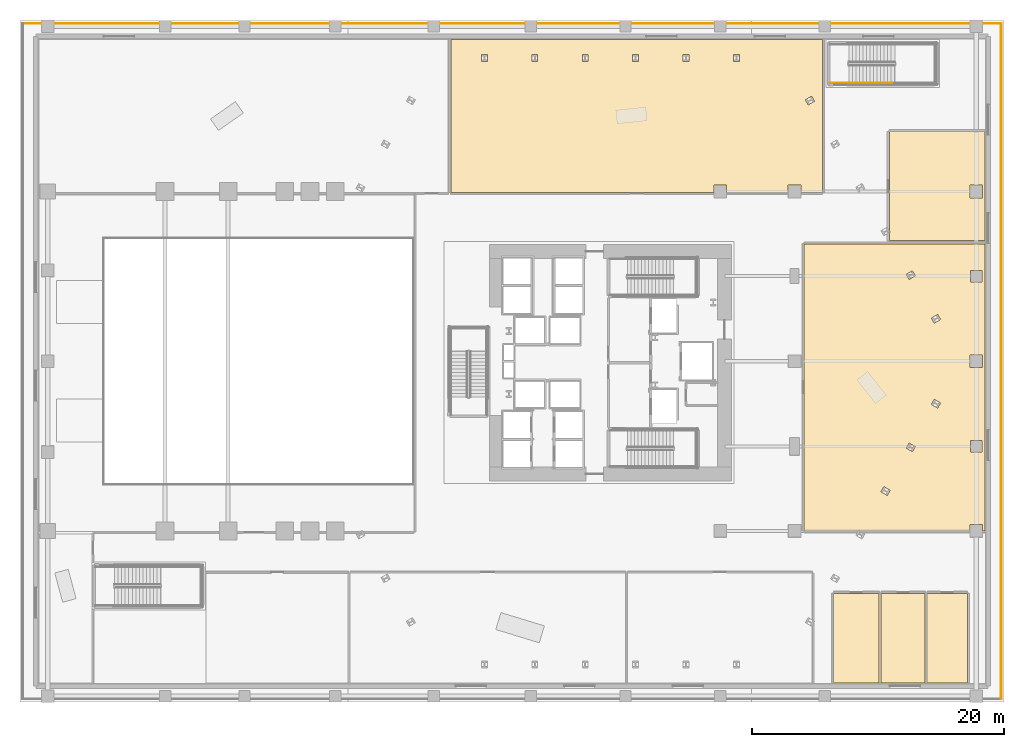
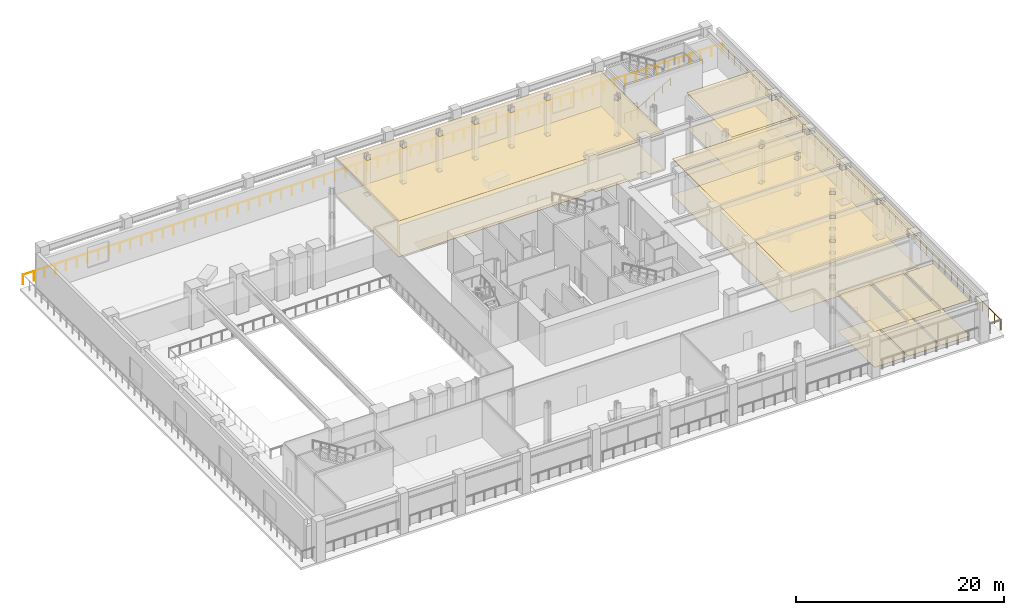
# One storey, part 17 of 19: 12 coverings, 4 railings.
"""IFC4 building model written with IfcOpenShell, lengths in metres."""

from ifc_helpers import new_model, si_unit, direction, frame, origin, origin_2d, place, context, subcontext, project, spatial, polyline, circle, outline, extrude, material, layer, layer_set, type_object, element, save


model = new_model("IFC4")

# Units and contexts
model_context = context("Model", 3, precision=1e-05, world=origin(), true_north=direction((0.0, 1.0)))
body_context = subcontext(model_context, "Body", "Model", "MODEL_VIEW")
ifc_project = project(units=[si_unit("LENGTHUNIT", "METRE"), si_unit("AREAUNIT", "SQUARE_METRE"), si_unit("VOLUMEUNIT", "CUBIC_METRE"), si_unit("PLANEANGLEUNIT", "RADIAN"), si_unit("MASSUNIT", "GRAM", prefix="KILO")], contexts=[model_context])

# Site, building, storey
site_placement = place(None, origin())
site = spatial("IfcSite", under=ifc_project, at=site_placement, CompositionType="ELEMENT")
building_placement = place(site_placement, origin())
building = spatial("IfcBuilding", under=site, at=building_placement, Name="Valkerne Bourse Tower", CompositionType="ELEMENT")
storey_placement = place(building_placement, frame((0.0, 0.0, 5.39990234375)))
storey = spatial("IfcBuildingStorey", under=building, at=storey_placement, Name="L01", CompositionType="ELEMENT", Elevation=5.39990234375)

# Coverings
ifc_material_1 = material(Name="Mineral Fiber Acoustic Ceiling Tile", Category="acoustic")
ifc_layer_1 = layer(ifc_material_1, 0.02490234375)
ifc_layer_set_1 = layer_set([ifc_layer_1], Name="Mineral Fiber Acoustic Ceiling Tile")
covering_type_1 = type_object("IfcCoveringType", Name="COV-CEIL-ACT", PredefinedType="CEILING", material=ifc_layer_set_1)
covering_1_placement = place(storey_placement, frame((0.0, 0.0, 4.210205078125)))
element("IfcCovering", 1, at=covering_1_placement, inside=storey, type_object=covering_type_1, Name="L01 Suspended Ceiling 06", PredefinedType="CEILING", context=body_context, shape_type="SweptSolid", body=[
    extrude(outline(polyline([(64.50390625, 8.595947265625), (68.095947265625, 8.595947265625), (68.095947265625, 1.50390625), (64.50390625, 1.50390625), (64.50390625, 8.595947265625)])), origin(), (0.0, 0.0, 1.0), 0.02490234375),
])
covering_2_placement = place(storey_placement, frame((0.0, 0.0, 4.210205078125)))
element("IfcCovering", 2, at=covering_2_placement, inside=storey, type_object=covering_type_1, Name="L01 Suspended Ceiling 07", PredefinedType="CEILING", context=body_context, shape_type="SweptSolid", body=[
    extrude(outline(polyline([(68.263916015625, 8.595947265625), (71.74609375, 8.595947265625), (71.74609375, 1.50390625), (68.263916015625, 1.50390625), (68.263916015625, 8.595947265625)])), origin(), (0.0, 0.0, 1.0), 0.02490234375),
])
covering_3_placement = place(storey_placement, frame((0.0, 0.0, 4.210205078125)))
element("IfcCovering", 3, at=covering_3_placement, inside=storey, type_object=covering_type_1, Name="L01 Suspended Ceiling 08", PredefinedType="CEILING", context=body_context, shape_type="SweptSolid", body=[
    extrude(outline(polyline([(71.9140625, 8.595947265625), (75.095947265625, 8.595947265625), (75.095947265625, 1.50390625), (71.9140625, 1.50390625), (71.9140625, 8.595947265625)])), origin(), (0.0, 0.0, 1.0), 0.02490234375),
])
covering_4_placement = place(storey_placement, frame((0.0, 0.0, 4.210205078125)))
element("IfcCovering", 4, at=covering_4_placement, inside=storey, type_object=covering_type_1, Name="L01 Suspended Ceiling 09", PredefinedType="CEILING", context=body_context, shape_type="SweptSolid", body=[
    extrude(outline(polyline([(62.154052734375, 36.2958984375), (76.49609375, 36.2958984375), (76.49609375, 13.553955078125), (76.303955078125, 13.553955078125), (76.303955078125, 14.053955078125), (75.2958984375, 14.053955078125), (75.2958984375, 13.553955078125), (66.555908203125, 13.553955078125), (66.479248046875, 13.59814453125), (66.453857421875, 13.553955078125), (62.154052734375, 13.553955078125), (62.154052734375, 36.2958984375)]), holes=[polyline([(68.24609375, 16.658203125), (68.74560546875, 16.36962890625), (68.97705078125, 16.770263671875), (68.477294921875, 17.058837890625), (68.24609375, 16.658203125)]), polyline([(70.475341796875, 20.51953125), (70.243896484375, 20.118896484375), (70.74365234375, 19.830322265625), (70.97509765625, 20.23095703125), (70.475341796875, 20.51953125)]), polyline([(76.25390625, 20.7041015625), (75.345947265625, 20.7041015625), (75.345947265625, 19.7958984375), (76.25390625, 19.7958984375), (76.25390625, 20.7041015625)]), polyline([(72.473388671875, 23.97998046875), (72.241943359375, 23.579345703125), (72.74169921875, 23.291015625), (72.972900390625, 23.691650390625), (72.473388671875, 23.97998046875)]), polyline([(76.303955078125, 27.50390625), (75.2958984375, 27.50390625), (75.2958984375, 26.49609375), (76.303955078125, 26.49609375), (76.303955078125, 27.50390625)]), polyline([(72.74169921875, 30.708984375), (72.241943359375, 30.420654296875), (72.473388671875, 30.02001953125), (72.972900390625, 30.308349609375), (72.74169921875, 30.708984375)]), polyline([(76.25390625, 34.2041015625), (75.345947265625, 34.2041015625), (75.345947265625, 33.2958984375), (76.25390625, 33.2958984375), (76.25390625, 34.2041015625)]), polyline([(70.243896484375, 33.881103515625), (70.475341796875, 33.48046875), (70.97509765625, 33.76904296875), (70.74365234375, 34.169677734375), (70.243896484375, 33.881103515625)])]), origin(), (0.0, 0.0, 1.0), 0.02490234375),
])
covering_5_placement = place(storey_placement, frame((0.0, 0.0, 4.210205078125)))
element("IfcCovering", 5, at=covering_5_placement, inside=storey, type_object=covering_type_1, Name="L01 Suspended Ceiling 10", PredefinedType="CEILING", context=body_context, shape_type="SweptSolid", body=[
    extrude(outline(polyline([(68.904052734375, 37.1875), (68.97705078125, 37.229736328125), (68.904052734375, 37.356201171875), (68.904052734375, 45.196044921875), (76.49609375, 45.196044921875), (76.49609375, 36.553955078125), (68.904052734375, 36.553955078125), (68.904052734375, 37.1875)]), holes=[polyline([(76.303955078125, 40.9541015625), (75.2958984375, 40.9541015625), (75.2958984375, 39.946044921875), (76.303955078125, 39.946044921875), (76.303955078125, 40.9541015625)])]), origin(), (0.0, 0.0, 1.0), 0.02490234375),
])
covering_6_placement = place(storey_placement, frame((0.0, 0.0, 4.210205078125)))
element("IfcCovering", 6, at=covering_6_placement, inside=storey, type_object=covering_type_1, Name="L01 Suspended Ceiling 11", PredefinedType="CEILING", context=body_context, shape_type="SweptSolid", body=[
    extrude(outline(polyline([(34.154052734375, 52.49609375), (63.595947265625, 52.49609375), (63.595947265625, 40.384033203125), (61.904052734375, 40.384033203125), (61.904052734375, 40.9541015625), (60.89599609375, 40.9541015625), (60.89599609375, 40.384033203125), (56.00390625, 40.384033203125), (56.00390625, 40.9541015625), (54.99609375, 40.9541015625), (54.99609375, 40.384033203125), (34.154052734375, 40.384033203125), (34.154052734375, 52.49609375)]), holes=[polyline([(57.021240234375, 51.32080078125), (56.55859375, 51.32080078125), (56.55859375, 50.74365234375), (57.021240234375, 50.74365234375), (57.021240234375, 51.32080078125)]), polyline([(53.025390625, 51.32080078125), (52.5625, 51.32080078125), (52.5625, 50.74365234375), (53.025390625, 50.74365234375), (53.025390625, 51.32080078125)]), polyline([(48.566650390625, 51.32080078125), (48.566650390625, 50.74365234375), (49.029296875, 50.74365234375), (49.029296875, 51.32080078125), (48.566650390625, 51.32080078125)]), polyline([(45.033203125, 51.32080078125), (44.57080078125, 51.32080078125), (44.57080078125, 50.74365234375), (45.033203125, 50.74365234375), (45.033203125, 51.32080078125)]), polyline([(41.037353515625, 51.32080078125), (40.57470703125, 51.32080078125), (40.57470703125, 50.74365234375), (41.037353515625, 50.74365234375), (41.037353515625, 51.32080078125)]), polyline([(36.57861328125, 51.32080078125), (36.57861328125, 50.74365234375), (37.04150390625, 50.74365234375), (37.04150390625, 51.32080078125), (36.57861328125, 51.32080078125)]), polyline([(62.751708984375, 48.01220703125), (62.251953125, 47.723876953125), (62.4833984375, 47.322998046875), (62.98291015625, 47.611572265625), (62.751708984375, 48.01220703125)])]), origin(), (0.0, 0.0, 1.0), 0.02490234375),
])
ifc_material_2 = material(Name="Galvanised Painted Steel", Category="steel")
ifc_layer_2 = layer(ifc_material_2, 0.044921875)
ifc_layer_set_2 = layer_set([ifc_layer_2], Name="Galvanised Painted Steel")
covering_type_2 = type_object("IfcCoveringType", Name="COV-FLR-RAF", PredefinedType="FLOORING", material=ifc_layer_set_2)
covering_7_placement = place(storey_placement, origin())
element("IfcCovering", 7, at=covering_7_placement, inside=storey, type_object=covering_type_2, Name="L01 Floor Finish 09", PredefinedType="FLOORING", context=body_context, shape_type="SweptSolid", body=[
    extrude(outline(polyline([(62.154052734375, 36.2958984375), (76.49609375, 36.2958984375), (76.49609375, 13.553955078125), (76.303955078125, 13.553955078125), (76.303955078125, 14.053955078125), (75.2958984375, 14.053955078125), (75.2958984375, 13.553955078125), (66.555908203125, 13.553955078125), (66.479248046875, 13.59814453125), (66.453857421875, 13.553955078125), (62.154052734375, 13.553955078125), (62.154052734375, 36.2958984375)]), holes=[polyline([(68.24609375, 16.658203125), (68.74560546875, 16.36962890625), (68.97705078125, 16.770263671875), (68.477294921875, 17.058837890625), (68.24609375, 16.658203125)]), polyline([(70.475341796875, 20.51953125), (70.243896484375, 20.118896484375), (70.74365234375, 19.830322265625), (70.97509765625, 20.23095703125), (70.475341796875, 20.51953125)]), polyline([(76.25390625, 20.7041015625), (75.345947265625, 20.7041015625), (75.345947265625, 19.7958984375), (76.25390625, 19.7958984375), (76.25390625, 20.7041015625)]), polyline([(72.473388671875, 23.97998046875), (72.241943359375, 23.579345703125), (72.74169921875, 23.291015625), (72.972900390625, 23.691650390625), (72.473388671875, 23.97998046875)]), polyline([(76.303955078125, 27.50390625), (75.2958984375, 27.50390625), (75.2958984375, 26.49609375), (76.303955078125, 26.49609375), (76.303955078125, 27.50390625)]), polyline([(72.74169921875, 30.708984375), (72.241943359375, 30.420654296875), (72.473388671875, 30.02001953125), (72.972900390625, 30.308349609375), (72.74169921875, 30.708984375)]), polyline([(76.25390625, 34.2041015625), (75.345947265625, 34.2041015625), (75.345947265625, 33.2958984375), (76.25390625, 33.2958984375), (76.25390625, 34.2041015625)]), polyline([(70.243896484375, 33.881103515625), (70.475341796875, 33.48046875), (70.97509765625, 33.76904296875), (70.74365234375, 34.169677734375), (70.243896484375, 33.881103515625)])]), origin(), (0.0, 0.0, 1.0), 0.045166015625),
])
covering_8_placement = place(storey_placement, origin())
element("IfcCovering", 8, at=covering_8_placement, inside=storey, type_object=covering_type_2, Name="L01 Floor Finish 10", PredefinedType="FLOORING", context=body_context, shape_type="SweptSolid", body=[
    extrude(outline(polyline([(68.904052734375, 37.1875), (68.97705078125, 37.229736328125), (68.904052734375, 37.356201171875), (68.904052734375, 45.196044921875), (76.49609375, 45.196044921875), (76.49609375, 36.553955078125), (68.904052734375, 36.553955078125), (68.904052734375, 37.1875)]), holes=[polyline([(76.303955078125, 40.9541015625), (75.2958984375, 40.9541015625), (75.2958984375, 39.946044921875), (76.303955078125, 39.946044921875), (76.303955078125, 40.9541015625)])]), origin(), (0.0, 0.0, 1.0), 0.045166015625),
])
covering_9_placement = place(storey_placement, origin())
element("IfcCovering", 9, at=covering_9_placement, inside=storey, type_object=covering_type_2, Name="L01 Floor Finish 11", PredefinedType="FLOORING", context=body_context, shape_type="SweptSolid", body=[
    extrude(outline(polyline([(34.154052734375, 52.49609375), (63.595947265625, 52.49609375), (63.595947265625, 40.384033203125), (61.904052734375, 40.384033203125), (61.904052734375, 40.9541015625), (60.89599609375, 40.9541015625), (60.89599609375, 40.384033203125), (56.00390625, 40.384033203125), (56.00390625, 40.9541015625), (54.99609375, 40.9541015625), (54.99609375, 40.384033203125), (34.154052734375, 40.384033203125), (34.154052734375, 52.49609375)]), holes=[polyline([(57.021240234375, 51.32080078125), (56.55859375, 51.32080078125), (56.55859375, 50.74365234375), (57.021240234375, 50.74365234375), (57.021240234375, 51.32080078125)]), polyline([(53.025390625, 51.32080078125), (52.5625, 51.32080078125), (52.5625, 50.74365234375), (53.025390625, 50.74365234375), (53.025390625, 51.32080078125)]), polyline([(48.566650390625, 51.32080078125), (48.566650390625, 50.74365234375), (49.029296875, 50.74365234375), (49.029296875, 51.32080078125), (48.566650390625, 51.32080078125)]), polyline([(45.033203125, 51.32080078125), (44.57080078125, 51.32080078125), (44.57080078125, 50.74365234375), (45.033203125, 50.74365234375), (45.033203125, 51.32080078125)]), polyline([(41.037353515625, 51.32080078125), (40.57470703125, 51.32080078125), (40.57470703125, 50.74365234375), (41.037353515625, 50.74365234375), (41.037353515625, 51.32080078125)]), polyline([(36.57861328125, 51.32080078125), (36.57861328125, 50.74365234375), (37.04150390625, 50.74365234375), (37.04150390625, 51.32080078125), (36.57861328125, 51.32080078125)]), polyline([(62.751708984375, 48.01220703125), (62.251953125, 47.723876953125), (62.4833984375, 47.322998046875), (62.98291015625, 47.611572265625), (62.751708984375, 48.01220703125)])]), origin(), (0.0, 0.0, 1.0), 0.045166015625),
])
ifc_material_3 = material(Name="Polished Granite Stone", Category="masonry")
ifc_layer_3 = layer(ifc_material_3, 0.030029296875)
ifc_layer_set_3 = layer_set([ifc_layer_3], Name="Polished Granite Stone")
covering_type_3 = type_object("IfcCoveringType", Name="COV-FLR-TERRAZZO", PredefinedType="FLOORING", material=ifc_layer_set_3)
covering_10_placement = place(storey_placement, origin())
element("IfcCovering", 10, at=covering_10_placement, inside=storey, type_object=covering_type_3, Name="L01 Floor Finish 06", PredefinedType="FLOORING", context=body_context, shape_type="SweptSolid", body=[
    extrude(outline(polyline([(64.50390625, 8.595947265625), (68.095947265625, 8.595947265625), (68.095947265625, 1.50390625), (64.50390625, 1.50390625), (64.50390625, 8.595947265625)])), origin(), (0.0, 0.0, 1.0), 0.030029296875),
])
covering_11_placement = place(storey_placement, origin())
element("IfcCovering", 11, at=covering_11_placement, inside=storey, type_object=covering_type_3, Name="L01 Floor Finish 07", PredefinedType="FLOORING", context=body_context, shape_type="SweptSolid", body=[
    extrude(outline(polyline([(68.263916015625, 8.595947265625), (71.74609375, 8.595947265625), (71.74609375, 1.50390625), (68.263916015625, 1.50390625), (68.263916015625, 8.595947265625)])), origin(), (0.0, 0.0, 1.0), 0.030029296875),
])
covering_12_placement = place(storey_placement, origin())
element("IfcCovering", 12, at=covering_12_placement, inside=storey, type_object=covering_type_3, Name="L01 Floor Finish 08", PredefinedType="FLOORING", context=body_context, shape_type="SweptSolid", body=[
    extrude(outline(polyline([(71.9140625, 8.595947265625), (75.095947265625, 8.595947265625), (75.095947265625, 1.50390625), (71.9140625, 1.50390625), (71.9140625, 8.595947265625)])), origin(), (0.0, 0.0, 1.0), 0.030029296875),
])

# Railings
ifc_material_4 = material(Name="Laminated Tempered Safety Glass", Category="glass")
railing_type_1 = type_object("IfcRailingType", Name="RLG-GUARD-1150", PredefinedType="BALUSTRADE", material=ifc_material_4)
railing_1_placement = place(storey_placement, frame((77.780029296875, 0.219970703125, 0.60009765625)))
element("IfcRailing", 13, at=railing_1_placement, inside=storey, type_object=railing_type_1, Name="L01 Perimeter Guard Railing GRD-POD-L01-02", PredefinedType="BALUSTRADE", context=body_context, shape_type="SweptSolid", body=[
    extrude(circle(Radius=0.02392578125, at=origin_2d()), frame((0.0, 0.0, 1.1259765625), z_axis=(0.0, 1.0, 0.0), x_axis=(-1.0, 0.0, 0.0)), (0.0, 0.0, 1.0), 53.56005859375),
    extrude(circle(Radius=0.02099609375, at=origin_2d()), origin(), (0.0, 0.0, 1.0), 1.101806640625),
    extrude(circle(Radius=0.02099609375, at=origin_2d()), frame((0.0, 1.190185546875, 0.0)), (0.0, 0.0, 1.0), 1.101806640625),
    extrude(circle(Radius=0.02099609375, at=origin_2d()), frame((0.0, 2.38037109375, 0.0)), (0.0, 0.0, 1.0), 1.101806640625),
    extrude(circle(Radius=0.02099609375, at=origin_2d()), frame((0.0, 3.570556640625, 0.0)), (0.0, 0.0, 1.0), 1.101806640625),
    extrude(circle(Radius=0.02099609375, at=origin_2d()), frame((0.0, 4.760986328125, 0.0)), (0.0, 0.0, 1.0), 1.101806640625),
    extrude(circle(Radius=0.02099609375, at=origin_2d()), frame((0.0, 5.951171875, 0.0)), (0.0, 0.0, 1.0), 1.101806640625),
    extrude(circle(Radius=0.02099609375, at=origin_2d()), frame((0.0, 7.141357421875, 0.0)), (0.0, 0.0, 1.0), 1.101806640625),
    extrude(circle(Radius=0.02099609375, at=origin_2d()), frame((0.0, 8.33154296875, 0.0)), (0.0, 0.0, 1.0), 1.101806640625),
    extrude(circle(Radius=0.02099609375, at=origin_2d()), frame((0.0, 9.521728515625, 0.0)), (0.0, 0.0, 1.0), 1.101806640625),
    extrude(circle(Radius=0.02099609375, at=origin_2d()), frame((0.0, 10.7119140625, 0.0)), (0.0, 0.0, 1.0), 1.101806640625),
    extrude(circle(Radius=0.02099609375, at=origin_2d()), frame((0.0, 11.90234375, 0.0)), (0.0, 0.0, 1.0), 1.101806640625),
    extrude(circle(Radius=0.02099609375, at=origin_2d()), frame((0.0, 13.092529296875, 0.0)), (0.0, 0.0, 1.0), 1.101806640625),
    extrude(circle(Radius=0.02099609375, at=origin_2d()), frame((0.0, 14.28271484375, 0.0)), (0.0, 0.0, 1.0), 1.101806640625),
    extrude(circle(Radius=0.02099609375, at=origin_2d()), frame((0.0, 15.472900390625, 0.0)), (0.0, 0.0, 1.0), 1.101806640625),
    extrude(circle(Radius=0.02099609375, at=origin_2d()), frame((0.0, 16.6630859375, 0.0)), (0.0, 0.0, 1.0), 1.101806640625),
    extrude(circle(Radius=0.02099609375, at=origin_2d()), frame((0.0, 17.853271484375, 0.0)), (0.0, 0.0, 1.0), 1.101806640625),
    extrude(circle(Radius=0.02099609375, at=origin_2d()), frame((0.0, 19.04345703125, 0.0)), (0.0, 0.0, 1.0), 1.101806640625),
    extrude(circle(Radius=0.02099609375, at=origin_2d()), frame((0.0, 20.23388671875, 0.0)), (0.0, 0.0, 1.0), 1.101806640625),
    extrude(circle(Radius=0.02099609375, at=origin_2d()), frame((0.0, 21.424072265625, 0.0)), (0.0, 0.0, 1.0), 1.101806640625),
    extrude(circle(Radius=0.02099609375, at=origin_2d()), frame((0.0, 22.6142578125, 0.0)), (0.0, 0.0, 1.0), 1.101806640625),
    extrude(circle(Radius=0.02099609375, at=origin_2d()), frame((0.0, 23.804443359375, 0.0)), (0.0, 0.0, 1.0), 1.101806640625),
    extrude(circle(Radius=0.02099609375, at=origin_2d()), frame((0.0, 24.99462890625, 0.0)), (0.0, 0.0, 1.0), 1.101806640625),
    extrude(circle(Radius=0.02099609375, at=origin_2d()), frame((0.0, 26.184814453125, 0.0)), (0.0, 0.0, 1.0), 1.101806640625),
    extrude(circle(Radius=0.02099609375, at=origin_2d()), frame((0.0, 27.375244140625, 0.0)), (0.0, 0.0, 1.0), 1.101806640625),
    extrude(circle(Radius=0.02099609375, at=origin_2d()), frame((0.0, 28.5654296875, 0.0)), (0.0, 0.0, 1.0), 1.101806640625),
    extrude(circle(Radius=0.02099609375, at=origin_2d()), frame((0.0, 29.755615234375, 0.0)), (0.0, 0.0, 1.0), 1.101806640625),
    extrude(circle(Radius=0.02099609375, at=origin_2d()), frame((0.0, 30.94580078125, 0.0)), (0.0, 0.0, 1.0), 1.101806640625),
    extrude(circle(Radius=0.02099609375, at=origin_2d()), frame((0.0, 32.135986328125, 0.0)), (0.0, 0.0, 1.0), 1.101806640625),
    extrude(circle(Radius=0.02099609375, at=origin_2d()), frame((0.0, 33.326171875, 0.0)), (0.0, 0.0, 1.0), 1.101806640625),
    extrude(circle(Radius=0.02099609375, at=origin_2d()), frame((0.0, 34.5166015625, 0.0)), (0.0, 0.0, 1.0), 1.101806640625),
    extrude(circle(Radius=0.02099609375, at=origin_2d()), frame((0.0, 35.706787109375, 0.0)), (0.0, 0.0, 1.0), 1.101806640625),
    extrude(circle(Radius=0.02099609375, at=origin_2d()), frame((0.0, 36.89697265625, 0.0)), (0.0, 0.0, 1.0), 1.101806640625),
    extrude(circle(Radius=0.02099609375, at=origin_2d()), frame((0.0, 38.087158203125, 0.0)), (0.0, 0.0, 1.0), 1.101806640625),
    extrude(circle(Radius=0.02099609375, at=origin_2d()), frame((0.0, 39.27734375, 0.0)), (0.0, 0.0, 1.0), 1.101806640625),
    extrude(circle(Radius=0.02099609375, at=origin_2d()), frame((0.0, 40.467529296875, 0.0)), (0.0, 0.0, 1.0), 1.101806640625),
    extrude(circle(Radius=0.02099609375, at=origin_2d()), frame((0.0, 41.65771484375, 0.0)), (0.0, 0.0, 1.0), 1.101806640625),
    extrude(circle(Radius=0.02099609375, at=origin_2d()), frame((0.0, 42.84814453125, 0.0)), (0.0, 0.0, 1.0), 1.101806640625),
    extrude(circle(Radius=0.02099609375, at=origin_2d()), frame((0.0, 44.038330078125, 0.0)), (0.0, 0.0, 1.0), 1.101806640625),
    extrude(circle(Radius=0.02099609375, at=origin_2d()), frame((0.0, 45.228515625, 0.0)), (0.0, 0.0, 1.0), 1.101806640625),
    extrude(circle(Radius=0.02099609375, at=origin_2d()), frame((0.0, 46.418701171875, 0.0)), (0.0, 0.0, 1.0), 1.101806640625),
    extrude(circle(Radius=0.02099609375, at=origin_2d()), frame((0.0, 47.60888671875, 0.0)), (0.0, 0.0, 1.0), 1.101806640625),
    extrude(circle(Radius=0.02099609375, at=origin_2d()), frame((0.0, 48.799072265625, 0.0)), (0.0, 0.0, 1.0), 1.101806640625),
    extrude(circle(Radius=0.02099609375, at=origin_2d()), frame((0.0, 49.989501953125, 0.0)), (0.0, 0.0, 1.0), 1.101806640625),
    extrude(circle(Radius=0.02099609375, at=origin_2d()), frame((0.0, 51.1796875, 0.0)), (0.0, 0.0, 1.0), 1.101806640625),
    extrude(circle(Radius=0.02099609375, at=origin_2d()), frame((0.0, 52.369873046875, 0.0)), (0.0, 0.0, 1.0), 1.101806640625),
    extrude(circle(Radius=0.02099609375, at=origin_2d()), frame((0.0, 53.56005859375, 0.0)), (0.0, 0.0, 1.0), 1.101806640625),
])
railing_2_placement = place(storey_placement, frame((77.780029296875, 53.780029296875, 0.60009765625)))
element("IfcRailing", 14, at=railing_2_placement, inside=storey, type_object=railing_type_1, Name="L01 Perimeter Guard Railing GRD-POD-L01-03", PredefinedType="BALUSTRADE", context=body_context, shape_type="SweptSolid", body=[
    extrude(circle(Radius=0.02392578125, at=origin_2d()), frame((0.0, 0.0, 1.1259765625), z_axis=(-1.0, 0.0, 0.0), x_axis=(0.0, -1.0, 0.0)), (0.0, 0.0, 1.0), 77.56005859375),
    extrude(circle(Radius=0.02099609375, at=origin_2d()), origin(), (0.0, 0.0, 1.0), 1.101806640625),
    extrude(circle(Radius=0.02099609375, at=origin_2d()), frame((-1.193115234375, 0.0, 0.0)), (0.0, 0.0, 1.0), 1.101806640625),
    extrude(circle(Radius=0.02099609375, at=origin_2d()), frame((-2.386474609375, 0.0, 0.0)), (0.0, 0.0, 1.0), 1.101806640625),
    extrude(circle(Radius=0.02099609375, at=origin_2d()), frame((-3.57958984375, 0.0, 0.0)), (0.0, 0.0, 1.0), 1.101806640625),
    extrude(circle(Radius=0.02099609375, at=origin_2d()), frame((-4.77294921875, 0.0, 0.0)), (0.0, 0.0, 1.0), 1.101806640625),
    extrude(circle(Radius=0.02099609375, at=origin_2d()), frame((-5.966064453125, 0.0, 0.0)), (0.0, 0.0, 1.0), 1.101806640625),
    extrude(circle(Radius=0.02099609375, at=origin_2d()), frame((-7.159423828125, 0.0, 0.0)), (0.0, 0.0, 1.0), 1.101806640625),
    extrude(circle(Radius=0.02099609375, at=origin_2d()), frame((-8.3525390625, 0.0, 0.0)), (0.0, 0.0, 1.0), 1.101806640625),
    extrude(circle(Radius=0.02099609375, at=origin_2d()), frame((-9.5458984375, 0.0, 0.0)), (0.0, 0.0, 1.0), 1.101806640625),
    extrude(circle(Radius=0.02099609375, at=origin_2d()), frame((-10.739013671875, 0.0, 0.0)), (0.0, 0.0, 1.0), 1.101806640625),
    extrude(circle(Radius=0.02099609375, at=origin_2d()), frame((-11.932373046875, 0.0, 0.0)), (0.0, 0.0, 1.0), 1.101806640625),
    extrude(circle(Radius=0.02099609375, at=origin_2d()), frame((-13.12548828125, 0.0, 0.0)), (0.0, 0.0, 1.0), 1.101806640625),
    extrude(circle(Radius=0.02099609375, at=origin_2d()), frame((-14.31884765625, 0.0, 0.0)), (0.0, 0.0, 1.0), 1.101806640625),
    extrude(circle(Radius=0.02099609375, at=origin_2d()), frame((-15.511962890625, 0.0, 0.0)), (0.0, 0.0, 1.0), 1.101806640625),
    extrude(circle(Radius=0.02099609375, at=origin_2d()), frame((-16.705322265625, 0.0, 0.0)), (0.0, 0.0, 1.0), 1.101806640625),
    extrude(circle(Radius=0.02099609375, at=origin_2d()), frame((-17.8984375, 0.0, 0.0)), (0.0, 0.0, 1.0), 1.101806640625),
    extrude(circle(Radius=0.02099609375, at=origin_2d()), frame((-19.091796875, 0.0, 0.0)), (0.0, 0.0, 1.0), 1.101806640625),
    extrude(circle(Radius=0.02099609375, at=origin_2d()), frame((-20.284912109375, 0.0, 0.0)), (0.0, 0.0, 1.0), 1.101806640625),
    extrude(circle(Radius=0.02099609375, at=origin_2d()), frame((-21.478271484375, 0.0, 0.0)), (0.0, 0.0, 1.0), 1.101806640625),
    extrude(circle(Radius=0.02099609375, at=origin_2d()), frame((-22.67138671875, 0.0, 0.0)), (0.0, 0.0, 1.0), 1.101806640625),
    extrude(circle(Radius=0.02099609375, at=origin_2d()), frame((-23.86474609375, 0.0, 0.0)), (0.0, 0.0, 1.0), 1.101806640625),
    extrude(circle(Radius=0.02099609375, at=origin_2d()), frame((-25.057861328125, 0.0, 0.0)), (0.0, 0.0, 1.0), 1.101806640625),
    extrude(circle(Radius=0.02099609375, at=origin_2d()), frame((-26.2509765625, 0.0, 0.0)), (0.0, 0.0, 1.0), 1.101806640625),
    extrude(circle(Radius=0.02099609375, at=origin_2d()), frame((-27.4443359375, 0.0, 0.0)), (0.0, 0.0, 1.0), 1.101806640625),
    extrude(circle(Radius=0.02099609375, at=origin_2d()), frame((-28.637451171875, 0.0, 0.0)), (0.0, 0.0, 1.0), 1.101806640625),
    extrude(circle(Radius=0.02099609375, at=origin_2d()), frame((-29.830810546875, 0.0, 0.0)), (0.0, 0.0, 1.0), 1.101806640625),
    extrude(circle(Radius=0.02099609375, at=origin_2d()), frame((-31.02392578125, 0.0, 0.0)), (0.0, 0.0, 1.0), 1.101806640625),
    extrude(circle(Radius=0.02099609375, at=origin_2d()), frame((-32.21728515625, 0.0, 0.0)), (0.0, 0.0, 1.0), 1.101806640625),
    extrude(circle(Radius=0.02099609375, at=origin_2d()), frame((-33.410400390625, 0.0, 0.0)), (0.0, 0.0, 1.0), 1.101806640625),
    extrude(circle(Radius=0.02099609375, at=origin_2d()), frame((-34.603759765625, 0.0, 0.0)), (0.0, 0.0, 1.0), 1.101806640625),
    extrude(circle(Radius=0.02099609375, at=origin_2d()), frame((-35.796875, 0.0, 0.0)), (0.0, 0.0, 1.0), 1.101806640625),
    extrude(circle(Radius=0.02099609375, at=origin_2d()), frame((-36.990234375, 0.0, 0.0)), (0.0, 0.0, 1.0), 1.101806640625),
    extrude(circle(Radius=0.02099609375, at=origin_2d()), frame((-38.183349609375, 0.0, 0.0)), (0.0, 0.0, 1.0), 1.101806640625),
    extrude(circle(Radius=0.02099609375, at=origin_2d()), frame((-39.376708984375, 0.0, 0.0)), (0.0, 0.0, 1.0), 1.101806640625),
    extrude(circle(Radius=0.02099609375, at=origin_2d()), frame((-40.56982421875, 0.0, 0.0)), (0.0, 0.0, 1.0), 1.101806640625),
    extrude(circle(Radius=0.02099609375, at=origin_2d()), frame((-41.76318359375, 0.0, 0.0)), (0.0, 0.0, 1.0), 1.101806640625),
    extrude(circle(Radius=0.02099609375, at=origin_2d()), frame((-42.956298828125, 0.0, 0.0)), (0.0, 0.0, 1.0), 1.101806640625),
    extrude(circle(Radius=0.02099609375, at=origin_2d()), frame((-44.149658203125, 0.0, 0.0)), (0.0, 0.0, 1.0), 1.101806640625),
    extrude(circle(Radius=0.02099609375, at=origin_2d()), frame((-45.3427734375, 0.0, 0.0)), (0.0, 0.0, 1.0), 1.101806640625),
    extrude(circle(Radius=0.02099609375, at=origin_2d()), frame((-46.5361328125, 0.0, 0.0)), (0.0, 0.0, 1.0), 1.101806640625),
    extrude(circle(Radius=0.02099609375, at=origin_2d()), frame((-47.729248046875, 0.0, 0.0)), (0.0, 0.0, 1.0), 1.101806640625),
    extrude(circle(Radius=0.02099609375, at=origin_2d()), frame((-48.922607421875, 0.0, 0.0)), (0.0, 0.0, 1.0), 1.101806640625),
    extrude(circle(Radius=0.02099609375, at=origin_2d()), frame((-50.11572265625, 0.0, 0.0)), (0.0, 0.0, 1.0), 1.101806640625),
    extrude(circle(Radius=0.02099609375, at=origin_2d()), frame((-51.30908203125, 0.0, 0.0)), (0.0, 0.0, 1.0), 1.101806640625),
    extrude(circle(Radius=0.02099609375, at=origin_2d()), frame((-52.502197265625, 0.0, 0.0)), (0.0, 0.0, 1.0), 1.101806640625),
    extrude(circle(Radius=0.02099609375, at=origin_2d()), frame((-53.6953125, 0.0, 0.0)), (0.0, 0.0, 1.0), 1.101806640625),
    extrude(circle(Radius=0.02099609375, at=origin_2d()), frame((-54.888671875, 0.0, 0.0)), (0.0, 0.0, 1.0), 1.101806640625),
    extrude(circle(Radius=0.02099609375, at=origin_2d()), frame((-56.081787109375, 0.0, 0.0)), (0.0, 0.0, 1.0), 1.101806640625),
    extrude(circle(Radius=0.02099609375, at=origin_2d()), frame((-57.275146484375, 0.0, 0.0)), (0.0, 0.0, 1.0), 1.101806640625),
    extrude(circle(Radius=0.02099609375, at=origin_2d()), frame((-58.46826171875, 0.0, 0.0)), (0.0, 0.0, 1.0), 1.101806640625),
    extrude(circle(Radius=0.02099609375, at=origin_2d()), frame((-59.66162109375, 0.0, 0.0)), (0.0, 0.0, 1.0), 1.101806640625),
    extrude(circle(Radius=0.02099609375, at=origin_2d()), frame((-60.854736328125, 0.0, 0.0)), (0.0, 0.0, 1.0), 1.101806640625),
    extrude(circle(Radius=0.02099609375, at=origin_2d()), frame((-62.048095703125, 0.0, 0.0)), (0.0, 0.0, 1.0), 1.101806640625),
    extrude(circle(Radius=0.02099609375, at=origin_2d()), frame((-63.2412109375, 0.0, 0.0)), (0.0, 0.0, 1.0), 1.101806640625),
    extrude(circle(Radius=0.02099609375, at=origin_2d()), frame((-64.4345703125, 0.0, 0.0)), (0.0, 0.0, 1.0), 1.101806640625),
    extrude(circle(Radius=0.02099609375, at=origin_2d()), frame((-65.627685546875, 0.0, 0.0)), (0.0, 0.0, 1.0), 1.101806640625),
    extrude(circle(Radius=0.02099609375, at=origin_2d()), frame((-66.821044921875, 0.0, 0.0)), (0.0, 0.0, 1.0), 1.101806640625),
    extrude(circle(Radius=0.02099609375, at=origin_2d()), frame((-68.01416015625, 0.0, 0.0)), (0.0, 0.0, 1.0), 1.101806640625),
    extrude(circle(Radius=0.02099609375, at=origin_2d()), frame((-69.20751953125, 0.0, 0.0)), (0.0, 0.0, 1.0), 1.101806640625),
    extrude(circle(Radius=0.02099609375, at=origin_2d()), frame((-70.400634765625, 0.0, 0.0)), (0.0, 0.0, 1.0), 1.101806640625),
    extrude(circle(Radius=0.02099609375, at=origin_2d()), frame((-71.593994140625, 0.0, 0.0)), (0.0, 0.0, 1.0), 1.101806640625),
    extrude(circle(Radius=0.02099609375, at=origin_2d()), frame((-72.787109375, 0.0, 0.0)), (0.0, 0.0, 1.0), 1.101806640625),
    extrude(circle(Radius=0.02099609375, at=origin_2d()), frame((-73.98046875, 0.0, 0.0)), (0.0, 0.0, 1.0), 1.101806640625),
    extrude(circle(Radius=0.02099609375, at=origin_2d()), frame((-75.173583984375, 0.0, 0.0)), (0.0, 0.0, 1.0), 1.101806640625),
    extrude(circle(Radius=0.02099609375, at=origin_2d()), frame((-76.366943359375, 0.0, 0.0)), (0.0, 0.0, 1.0), 1.101806640625),
    extrude(circle(Radius=0.02099609375, at=origin_2d()), frame((-77.56005859375, 0.0, 0.0)), (0.0, 0.0, 1.0), 1.101806640625),
])
railing_type_2 = type_object("IfcRailingType", Name="RLG-ST-GUARD-1120", PredefinedType="GUARDRAIL", material=ifc_material_2)
railing_3_placement = place(storey_placement, frame((64.199951171875, 49.050048828125, 0.0)))
element("IfcRailing", 15, at=railing_3_placement, inside=storey, type_object=railing_type_2, Name="L01 ST-P2 stair guard 8", PredefinedType="GUARDRAIL", context=body_context, shape_type="SweptSolid", body=[
    extrude(circle(Radius=0.02392578125, at=origin_2d()), frame((0.0, 0.0, 1.09619140625), z_axis=(1.0, 0.0, 0.0), x_axis=(0.0, 1.0, 0.0)), (0.0, 0.0, 1.0), 1.5),
    extrude(circle(Radius=0.02099609375, at=origin_2d()), origin(), (0.0, 0.0, 1.0), 1.072021484375),
    extrude(circle(Radius=0.02099609375, at=origin_2d()), frame((0.75, 0.0, 0.0)), (0.0, 0.0, 1.0), 1.072021484375),
    extrude(circle(Radius=0.02099609375, at=origin_2d()), frame((1.5, 0.0, 0.0)), (0.0, 0.0, 1.0), 1.072021484375),
])
ifc_material_5 = material(Name="Stainless Steel AISI 316", Category="steel")
railing_type_3 = type_object("IfcRailingType", Name="RLG-ST-HANDRAIL-900", PredefinedType="HANDRAIL", material=ifc_material_5)
railing_4_placement = place(storey_placement, frame((65.699951171875, 49.050048828125, 0.343017578125)))
element("IfcRailing", 16, at=railing_4_placement, inside=storey, type_object=railing_type_3, Name="L01 ST-P2 stair handrail 1", PredefinedType="HANDRAIL", context=body_context, shape_type="SweptSolid", body=[
    extrude(circle(Radius=0.02392578125, at=origin_2d()), frame((0.0, 0.0, 0.8759765625), z_axis=(0.852865859571, 0.0, 0.52213008492), x_axis=(0.0, 1.0, 0.0)), (0.0, 0.0, 1.0), 4.26806640625),
    extrude(circle(Radius=0.02099609375, at=origin_2d()), origin(), (0.0, 0.0, 1.0), 0.851806640625),
    extrude(circle(Radius=0.02099609375, at=origin_2d()), frame((0.91015625, 0.0, 0.55712890625)), (0.0, 0.0, 1.0), 0.851806640625),
    extrude(circle(Radius=0.02099609375, at=origin_2d()), frame((1.820068359375, 0.0, 1.1142578125)), (0.0, 0.0, 1.0), 0.851806640625),
    extrude(circle(Radius=0.02099609375, at=origin_2d()), frame((2.72998046875, 0.0, 1.67138671875)), (0.0, 0.0, 1.0), 0.851806640625),
    extrude(circle(Radius=0.02099609375, at=origin_2d()), frame((3.64013671875, 0.0, 2.228515625)), (0.0, 0.0, 1.0), 0.851806640625),
])

save(model, "model.ifc")
